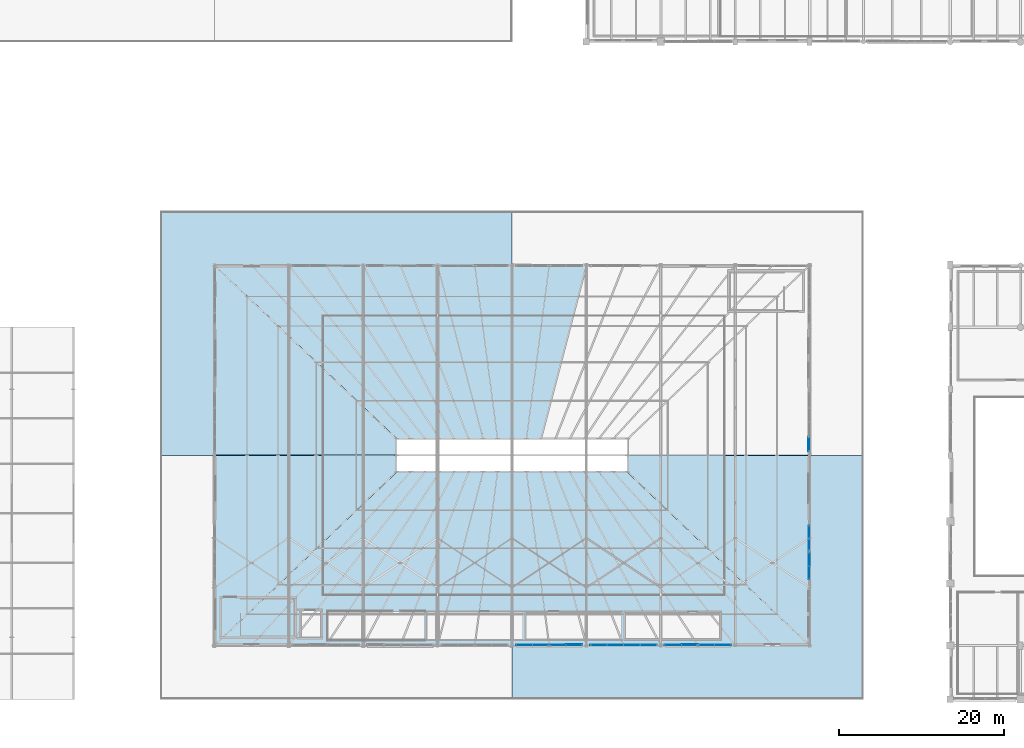
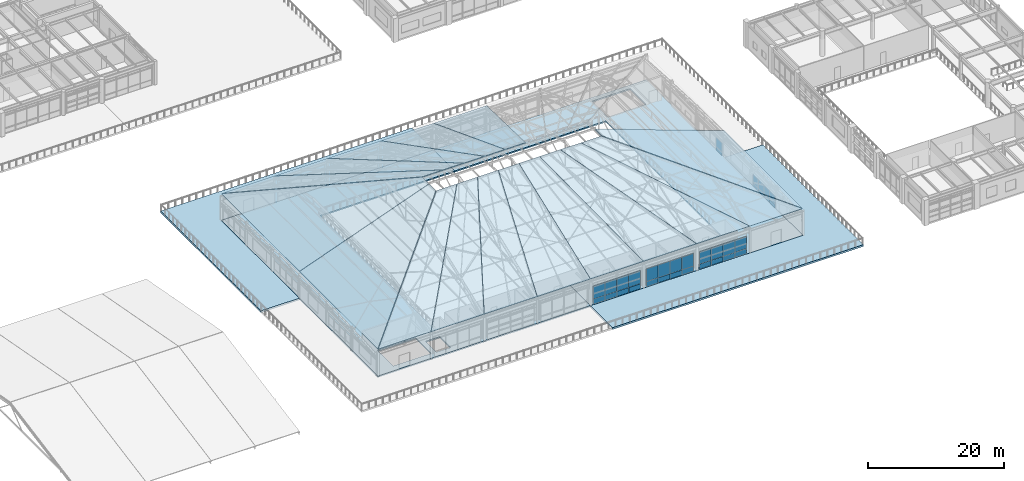
# One storey, part 132 of 168: 34 plates, 20 slabs, 5 elements without a shape of their own.
"""IFC4 building model written with IfcOpenShell, lengths in metres."""

from ifc_helpers import new_model, si_unit, direction, frame, origin, origin_2d, place, context, subcontext, project, spatial, polyline, rectangle, outline, extrude, material, layer, layer_set, type_object, element, aggregate, save


model = new_model("IFC4")

# Units and contexts
model_context = context("Model", 3, precision=1e-05, world=origin(), true_north=direction((0.0, 1.0)))
body_context = subcontext(model_context, "Body", "Model", "MODEL_VIEW")
ifc_project = project(units=[si_unit("LENGTHUNIT", "METRE"), si_unit("AREAUNIT", "SQUARE_METRE"), si_unit("VOLUMEUNIT", "CUBIC_METRE"), si_unit("PLANEANGLEUNIT", "RADIAN"), si_unit("MASSUNIT", "GRAM", prefix="KILO"), si_unit("THERMODYNAMICTEMPERATUREUNIT", "KELVIN"), si_unit("POWERUNIT", "WATT")], contexts=[model_context])

# Site, building, storey
site_placement = place(None, origin())
site = spatial("IfcSite", under=ifc_project, at=site_placement, CompositionType="ELEMENT")
building_placement = place(site_placement, origin())
building = spatial("IfcBuilding", under=site, at=building_placement, Name="Tepalcoro Natatorium and Aquatics Centre", CompositionType="ELEMENT")
storey_placement = place(building_placement, frame((0.0, 0.0, 10.199951171875)))
storey = spatial("IfcBuildingStorey", under=building, at=storey_placement, Name="L02", CompositionType="ELEMENT", Elevation=10.199951171875)

# Curtain wall, plate
ifc_material_1 = material(Name="Bronze-Anodised Extruded Aluminium Alloy EN AW-6063 T6", Category="aluminium")
curtain_wall_type_1 = type_object("IfcCurtainWallType", Name="CW_V5_UPPER", PredefinedType="USERDEFINED", material=ifc_material_1)
curtain_wall_1_placement = place(storey_placement, origin())
curtain_wall_1 = element("IfcCurtainWall", 1, at=curtain_wall_1_placement, inside=storey, type_object=curtain_wall_type_1, Name="V1 L02 S Unitised Curtain Wall Bay 5", ObjectType="FACETED SOLAR GLAZING", PredefinedType="USERDEFINED")
ifc_material_2 = material(Name="Solar-Control Bronze Tempered Low-E Double Glazing", Category="glass")
ifc_layer_1 = layer(ifc_material_2, 0.048095703125)
ifc_layer_set_1 = layer_set([ifc_layer_1], Name="Solar-Control Bronze Tempered Low-E Double Glazing")
plate_type_1 = type_object("IfcPlateType", Name="PL_ACOUSTIC_IGU_48", PredefinedType="CURTAIN_PANEL", material=ifc_layer_set_1)
plate_1_placement = place(storey_placement, frame((92.4951171875, 13.0712890625, 0.9599609375), z_axis=(0.0, 0.0, 1.0), x_axis=(1.0, 0.0, 0.0)))
plate_1 = element("IfcPlate", 2, at=plate_1_placement, type_object=plate_type_1, Name="CW_V5_UPPER Insulated Glazing Unit", PredefinedType="CURTAIN_PANEL", context=body_context, shape_type="SweptSolid", body=[
    extrude(rectangle(XDim=1.989990234375, YDim=0.048095703125, at=origin_2d()), origin(), (0.0, 0.0, 1.0), 2.340087890625),
])

# Curtain wall, plates
curtain_wall_type_2 = type_object("IfcCurtainWallType", Name="CW_LEAN_T1_NS", PredefinedType="USERDEFINED", material=ifc_material_1)
curtain_wall_2_placement = place(storey_placement, origin())
curtain_wall_2 = element("IfcCurtainWall", 3, at=curtain_wall_2_placement, inside=storey, type_object=curtain_wall_type_2, Name="V1 L02 S Unitised Curtain Wall Bay 6", ObjectType="FACETED SOLAR GLAZING", PredefinedType="USERDEFINED")
plate_2_placement = place(storey_placement, frame((99.485107421875, 13.06494140625, 0.9560546875), z_axis=(0.0, 0.0, 1.0), x_axis=(1.0, 0.0, 0.0)))
plate_2 = element("IfcPlate", 4, at=plate_2_placement, type_object=plate_type_1, Name="CW_LEAN_T1_NS Insulated Glazing Unit", PredefinedType="CURTAIN_PANEL", context=body_context, shape_type="SweptSolid", body=[
    extrude(rectangle(XDim=1.989990234375, YDim=0.048095703125, at=origin_2d()), origin(), (0.0, 0.0, 1.0), 2.26806640625),
])
plate_3_placement = place(storey_placement, frame((105.514892578125, 13.06494140625, 0.9560546875), z_axis=(0.0, 0.0, 1.0), x_axis=(1.0, 0.0, 0.0)))
plate_3 = element("IfcPlate", 5, at=plate_3_placement, type_object=plate_type_1, Name="CW_LEAN_T1_NS Insulated Glazing Unit", PredefinedType="CURTAIN_PANEL", context=body_context, shape_type="SweptSolid", body=[
    extrude(rectangle(XDim=1.989990234375, YDim=0.048095703125, at=origin_2d()), origin(), (0.0, 0.0, 1.0), 2.26806640625),
])

# Curtain wall, plate
curtain_wall_type_3 = type_object("IfcCurtainWallType", Name="CW_LEAN_T1_EW", PredefinedType="USERDEFINED", material=ifc_material_1)
curtain_wall_3_placement = place(storey_placement, origin())
curtain_wall_3 = element("IfcCurtainWall", 6, at=curtain_wall_3_placement, inside=storey, type_object=curtain_wall_type_3, Name="V1 L02 S Unitised Curtain Wall Bay 7", ObjectType="FACETED SOLAR GLAZING", PredefinedType="USERDEFINED")
plate_4_placement = place(storey_placement, frame((112.5048828125, 13.0712890625, 0.93701171875), z_axis=(0.0, 0.0, 1.0), x_axis=(1.0, 0.0, 0.0)))
plate_4 = element("IfcPlate", 7, at=plate_4_placement, type_object=plate_type_1, Name="CW_LEAN_T1_EW Insulated Glazing Unit", PredefinedType="CURTAIN_PANEL", context=body_context, shape_type="SweptSolid", body=[
    extrude(rectangle(XDim=1.989990234375, YDim=0.048095703125, at=origin_2d()), origin(), (0.0, 0.0, 1.0), 2.2109375),
])

curtain_wall_type_4 = type_object("IfcCurtainWallType", Name="CW_LEAN_T2_NS", PredefinedType="USERDEFINED", material=ifc_material_1)
curtain_wall_4_placement = place(storey_placement, origin())
curtain_wall_4 = element("IfcCurtainWall", 8, at=curtain_wall_4_placement, inside=storey, type_object=curtain_wall_type_4, Name="V1 L02 E Unitised Curtain Wall Bay 2", ObjectType="FACETED SOLAR GLAZING", PredefinedType="USERDEFINED")
plate_5_placement = place(storey_placement, frame((124.923828125, 23.4326171875, 0.654541015625), z_axis=(0.0, 0.0, 1.0), x_axis=(1.0, 0.0, 0.0)))
plate_5 = element("IfcPlate", 9, at=plate_5_placement, type_object=plate_type_1, Name="CW_LEAN_T2_NS Insulated Glazing Unit", PredefinedType="CURTAIN_PANEL", context=body_context, shape_type="SweptSolid", body=[
    extrude(rectangle(XDim=0.048095703125, YDim=1.614990234375, at=origin_2d()), origin(), (0.0, 0.0, 1.0), 1.5009765625),
])

curtain_wall_type_5 = type_object("IfcCurtainWallType", Name="CW_V1_PLINTH", PredefinedType="USERDEFINED", material=ifc_material_1)
curtain_wall_5_placement = place(storey_placement, origin())
curtain_wall_5 = element("IfcCurtainWall", 10, at=curtain_wall_5_placement, inside=storey, type_object=curtain_wall_type_5, Name="V1 L02 E Unitised Curtain Wall Bay 4", ObjectType="UNITISED STOREFRONT", PredefinedType="USERDEFINED")
plate_6_placement = place(storey_placement, frame((124.909912109375, 37.360107421875, 0.68505859375), z_axis=(0.0, 0.0, 1.0), x_axis=(1.0, 0.0, 0.0)))
plate_6 = element("IfcPlate", 11, at=plate_6_placement, type_object=plate_type_1, Name="CW_V1_PLINTH Insulated Glazing Unit", PredefinedType="CURTAIN_PANEL", context=body_context, shape_type="SweptSolid", body=[
    extrude(rectangle(XDim=0.048095703125, YDim=1.739990234375, at=origin_2d()), origin(), (0.0, 0.0, 1.0), 1.572998046875),
])

# Plate
ifc_layer_2 = layer(ifc_material_2, 0.028076171875)
ifc_layer_set_2 = layer_set([ifc_layer_2], Name="Solar-Control Bronze Tempered Low-E Double Glazing")
plate_type_2 = type_object("IfcPlateType", Name="PL_BRONZE_IGU_28", PredefinedType="CURTAIN_PANEL", material=ifc_layer_set_2)
plate_7_placement = place(storey_placement, frame((90.485107421875, 13.0712890625, 0.9599609375), z_axis=(0.0, 0.0, 1.0), x_axis=(1.0, 0.0, 0.0)))
plate_7 = element("IfcPlate", 12, at=plate_7_placement, type_object=plate_type_2, Name="CW_V5_UPPER Insulated Glazing Unit", PredefinedType="CURTAIN_PANEL", context=body_context, shape_type="SweptSolid", body=[
    extrude(rectangle(XDim=1.989990234375, YDim=0.028076171875, at=origin_2d()), origin(), (0.0, 0.0, 1.0), 2.340087890625),
])

plate_8_placement = place(storey_placement, frame((96.514892578125, 13.0712890625, 0.9599609375), z_axis=(0.0, 0.0, 1.0), x_axis=(1.0, 0.0, 0.0)))
plate_8 = element("IfcPlate", 13, at=plate_8_placement, type_object=plate_type_2, Name="CW_V5_UPPER Insulated Glazing Unit", PredefinedType="CURTAIN_PANEL", context=body_context, shape_type="SweptSolid", body=[
    extrude(rectangle(XDim=1.989990234375, YDim=0.028076171875, at=origin_2d()), origin(), (0.0, 0.0, 1.0), 2.340087890625),
])

plate_9_placement = place(storey_placement, frame((103.5048828125, 13.06494140625, 0.9560546875), z_axis=(0.0, 0.0, 1.0), x_axis=(1.0, 0.0, 0.0)))
plate_9 = element("IfcPlate", 14, at=plate_9_placement, type_object=plate_type_2, Name="CW_LEAN_T1_NS Insulated Glazing Unit", PredefinedType="CURTAIN_PANEL", context=body_context, shape_type="SweptSolid", body=[
    extrude(rectangle(XDim=1.989990234375, YDim=0.028076171875, at=origin_2d()), origin(), (0.0, 0.0, 1.0), 2.26806640625),
])

plate_10_placement = place(storey_placement, frame((110.4951171875, 13.0712890625, 0.93701171875), z_axis=(0.0, 0.0, 1.0), x_axis=(1.0, 0.0, 0.0)))
plate_10 = element("IfcPlate", 15, at=plate_10_placement, type_object=plate_type_2, Name="CW_LEAN_T1_EW Insulated Glazing Unit", PredefinedType="CURTAIN_PANEL", context=body_context, shape_type="SweptSolid", body=[
    extrude(rectangle(XDim=1.989990234375, YDim=0.028076171875, at=origin_2d()), origin(), (0.0, 0.0, 1.0), 2.2109375),
])

plate_11_placement = place(storey_placement, frame((124.923828125, 21.797607421875, 0.654541015625), z_axis=(0.0, 0.0, 1.0), x_axis=(1.0, 0.0, 0.0)))
plate_11 = element("IfcPlate", 16, at=plate_11_placement, type_object=plate_type_2, Name="CW_LEAN_T2_NS Insulated Glazing Unit", PredefinedType="CURTAIN_PANEL", context=body_context, shape_type="SweptSolid", body=[
    extrude(rectangle(XDim=0.028076171875, YDim=1.614990234375, at=origin_2d()), origin(), (0.0, 0.0, 1.0), 1.5009765625),
])

plate_12_placement = place(storey_placement, frame((124.923828125, 26.702392578125, 0.654541015625), z_axis=(0.0, 0.0, 1.0), x_axis=(1.0, 0.0, 0.0)))
plate_12 = element("IfcPlate", 17, at=plate_12_placement, type_object=plate_type_2, Name="CW_LEAN_T2_NS Insulated Glazing Unit", PredefinedType="CURTAIN_PANEL", context=body_context, shape_type="SweptSolid", body=[
    extrude(rectangle(XDim=0.028076171875, YDim=1.614990234375, at=origin_2d()), origin(), (0.0, 0.0, 1.0), 1.5009765625),
])

ifc_material_3 = material(Name="Jalisco Cantera Rosa Volcanic Tuff Ashlar Masonry", Category="masonry")
ifc_layer_3 = layer(ifc_material_3, 0.090087890625)
ifc_layer_set_3 = layer_set([ifc_layer_3], Name="Jalisco Cantera Rosa Volcanic Tuff Ashlar Masonry")
plate_type_3 = type_object("IfcPlateType", Name="PL_CANTERA_90", PredefinedType="SHEET", material=ifc_layer_set_3)
plate_13_placement = place(storey_placement, frame((94.5048828125, 13.0712890625, 0.044921875), z_axis=(0.0, 0.0, 1.0), x_axis=(1.0, 0.0, 0.0)))
plate_13 = element("IfcPlate", 18, at=plate_13_placement, type_object=plate_type_3, Name="CW_V5_UPPER Spandrel & Screen Panel", PredefinedType="SHEET", context=body_context, shape_type="SweptSolid", body=[
    extrude(rectangle(XDim=1.989990234375, YDim=0.090087890625, at=origin_2d()), origin(), (0.0, 0.0, 1.0), 0.909912109375),
])

plate_14_placement = place(storey_placement, frame((101.4951171875, 13.06494140625, 0.044921875), z_axis=(0.0, 0.0, 1.0), x_axis=(1.0, 0.0, 0.0)))
plate_14 = element("IfcPlate", 19, at=plate_14_placement, type_object=plate_type_3, Name="CW_LEAN_T1_NS Spandrel & Screen Panel", PredefinedType="SHEET", context=body_context, shape_type="SweptSolid", body=[
    extrude(rectangle(XDim=1.989990234375, YDim=0.090087890625, at=origin_2d()), origin(), (0.0, 0.0, 1.0), 0.906005859375),
])

plate_15_placement = place(storey_placement, frame((108.485107421875, 13.0712890625, 0.044921875), z_axis=(0.0, 0.0, 1.0), x_axis=(1.0, 0.0, 0.0)))
plate_15 = element("IfcPlate", 20, at=plate_15_placement, type_object=plate_type_3, Name="CW_LEAN_T1_EW Spandrel & Screen Panel", PredefinedType="SHEET", context=body_context, shape_type="SweptSolid", body=[
    extrude(rectangle(XDim=1.989990234375, YDim=0.090087890625, at=origin_2d()), origin(), (0.0, 0.0, 1.0), 0.886962890625),
])

plate_16_placement = place(storey_placement, frame((124.923828125, 21.797607421875, 0.045166015625), z_axis=(0.0, 0.0, 1.0), x_axis=(1.0, 0.0, 0.0)))
plate_16 = element("IfcPlate", 21, at=plate_16_placement, type_object=plate_type_3, Name="CW_LEAN_T2_NS Spandrel & Screen Panel", PredefinedType="SHEET", context=body_context, shape_type="SweptSolid", body=[
    extrude(rectangle(XDim=0.090087890625, YDim=1.614990234375, at=origin_2d()), origin(), (0.0, 0.0, 1.0), 0.6044921875),
])

ifc_material_4 = material(Name="Clear Tempered Low-E Safety Glazing", Category="glass")
ifc_layer_4 = layer(ifc_material_4, 0.011962890625)
ifc_layer_set_4 = layer_set([ifc_layer_4], Name="Clear Tempered Low-E Safety Glazing")
plate_type_4 = type_object("IfcPlateType", Name="PL_GLASS_12", PredefinedType="CURTAIN_PANEL", material=ifc_layer_set_4)
plate_17_placement = place(storey_placement, frame((94.5048828125, 13.0712890625, 0.9599609375), z_axis=(0.0, 0.0, 1.0), x_axis=(1.0, 0.0, 0.0)))
plate_17 = element("IfcPlate", 22, at=plate_17_placement, type_object=plate_type_4, Name="CW_V5_UPPER Insulated Glazing Unit", PredefinedType="CURTAIN_PANEL", context=body_context, shape_type="SweptSolid", body=[
    extrude(rectangle(XDim=1.989990234375, YDim=0.011962890625, at=origin_2d()), origin(), (0.0, 0.0, 1.0), 2.340087890625),
])

plate_18_placement = place(storey_placement, frame((101.4951171875, 13.06494140625, 0.9560546875), z_axis=(0.0, 0.0, 1.0), x_axis=(1.0, 0.0, 0.0)))
plate_18 = element("IfcPlate", 23, at=plate_18_placement, type_object=plate_type_4, Name="CW_LEAN_T1_NS Insulated Glazing Unit", PredefinedType="CURTAIN_PANEL", context=body_context, shape_type="SweptSolid", body=[
    extrude(rectangle(XDim=1.989990234375, YDim=0.011962890625, at=origin_2d()), origin(), (0.0, 0.0, 1.0), 2.26806640625),
])

plate_19_placement = place(storey_placement, frame((108.485107421875, 13.0712890625, 0.93701171875), z_axis=(0.0, 0.0, 1.0), x_axis=(1.0, 0.0, 0.0)))
plate_19 = element("IfcPlate", 24, at=plate_19_placement, type_object=plate_type_4, Name="CW_LEAN_T1_EW Insulated Glazing Unit", PredefinedType="CURTAIN_PANEL", context=body_context, shape_type="SweptSolid", body=[
    extrude(rectangle(XDim=1.989990234375, YDim=0.011962890625, at=origin_2d()), origin(), (0.0, 0.0, 1.0), 2.2109375),
])

plate_20_placement = place(storey_placement, frame((114.514892578125, 13.0712890625, 0.93701171875), z_axis=(0.0, 0.0, 1.0), x_axis=(1.0, 0.0, 0.0)))
plate_20 = element("IfcPlate", 25, at=plate_20_placement, type_object=plate_type_4, Name="CW_LEAN_T1_EW Insulated Glazing Unit", PredefinedType="CURTAIN_PANEL", context=body_context, shape_type="SweptSolid", body=[
    extrude(rectangle(XDim=1.989990234375, YDim=0.011962890625, at=origin_2d()), origin(), (0.0, 0.0, 1.0), 2.2109375),
])

plate_21_placement = place(storey_placement, frame((124.923828125, 25.0673828125, 0.654541015625), z_axis=(0.0, 0.0, 1.0), x_axis=(1.0, 0.0, 0.0)))
plate_21 = element("IfcPlate", 26, at=plate_21_placement, type_object=plate_type_4, Name="CW_LEAN_T2_NS Insulated Glazing Unit", PredefinedType="CURTAIN_PANEL", context=body_context, shape_type="SweptSolid", body=[
    extrude(rectangle(XDim=0.011962890625, YDim=1.614990234375, at=origin_2d()), origin(), (0.0, 0.0, 1.0), 1.5009765625),
])

ifc_material_5 = material(Name="Volcanic Recinto Basalt Ashlar Masonry", Category="masonry")
ifc_layer_5 = layer(ifc_material_5, 0.110107421875)
ifc_layer_set_5 = layer_set([ifc_layer_5], Name="Volcanic Recinto Basalt Ashlar Masonry")
plate_type_5 = type_object("IfcPlateType", Name="PL_RECINTO_110", PredefinedType="SHEET", material=ifc_layer_set_5)
plate_22_placement = place(storey_placement, frame((96.514892578125, 13.0712890625, 0.044921875), z_axis=(0.0, 0.0, 1.0), x_axis=(1.0, 0.0, 0.0)))
plate_22 = element("IfcPlate", 27, at=plate_22_placement, type_object=plate_type_5, Name="CW_V5_UPPER Spandrel & Screen Panel", PredefinedType="SHEET", context=body_context, shape_type="SweptSolid", body=[
    extrude(rectangle(XDim=1.989990234375, YDim=0.110107421875, at=origin_2d()), origin(), (0.0, 0.0, 1.0), 0.909912109375),
])

plate_23_placement = place(storey_placement, frame((103.5048828125, 13.06494140625, 0.044921875), z_axis=(0.0, 0.0, 1.0), x_axis=(1.0, 0.0, 0.0)))
plate_23 = element("IfcPlate", 28, at=plate_23_placement, type_object=plate_type_5, Name="CW_LEAN_T1_NS Spandrel & Screen Panel", PredefinedType="SHEET", context=body_context, shape_type="SweptSolid", body=[
    extrude(rectangle(XDim=1.989990234375, YDim=0.110107421875, at=origin_2d()), origin(), (0.0, 0.0, 1.0), 0.906005859375),
])

plate_24_placement = place(storey_placement, frame((110.4951171875, 13.0712890625, 0.044921875), z_axis=(0.0, 0.0, 1.0), x_axis=(1.0, 0.0, 0.0)))
plate_24 = element("IfcPlate", 29, at=plate_24_placement, type_object=plate_type_5, Name="CW_LEAN_T1_EW Spandrel & Screen Panel", PredefinedType="SHEET", context=body_context, shape_type="SweptSolid", body=[
    extrude(rectangle(XDim=1.989990234375, YDim=0.110107421875, at=origin_2d()), origin(), (0.0, 0.0, 1.0), 0.886962890625),
])

plate_25_placement = place(storey_placement, frame((124.923828125, 23.4326171875, 0.045166015625), z_axis=(0.0, 0.0, 1.0), x_axis=(1.0, 0.0, 0.0)))
plate_25 = element("IfcPlate", 30, at=plate_25_placement, type_object=plate_type_5, Name="CW_LEAN_T2_NS Spandrel & Screen Panel", PredefinedType="SHEET", context=body_context, shape_type="SweptSolid", body=[
    extrude(rectangle(XDim=0.110107421875, YDim=1.614990234375, at=origin_2d()), origin(), (0.0, 0.0, 1.0), 0.6044921875),
])

plate_26_placement = place(storey_placement, frame((124.909912109375, 37.360107421875, 0.044921875), z_axis=(0.0, 0.0, 1.0), x_axis=(1.0, 0.0, 0.0)))
plate_26 = element("IfcPlate", 31, at=plate_26_placement, type_object=plate_type_5, Name="CW_V1_PLINTH Spandrel & Screen Panel", PredefinedType="SHEET", context=body_context, shape_type="SweptSolid", body=[
    extrude(rectangle(XDim=0.110107421875, YDim=1.739990234375, at=origin_2d()), origin(), (0.0, 0.0, 1.0), 0.635009765625),
])

aggregate(curtain_wall_5, [plate_6, plate_26])

ifc_layer_6 = layer(ifc_material_1, 0.050048828125)
ifc_layer_set_6 = layer_set([ifc_layer_6], Name="Bronze-Anodised Extruded Aluminium Alloy EN AW-6063 T6")
plate_type_6 = type_object("IfcPlateType", Name="PL_SCREEN_50", PredefinedType="SHEET", material=ifc_layer_set_6)
plate_27_placement = place(storey_placement, frame((90.485107421875, 13.0712890625, 0.044921875), z_axis=(0.0, 0.0, 1.0), x_axis=(1.0, 0.0, 0.0)))
plate_27 = element("IfcPlate", 32, at=plate_27_placement, type_object=plate_type_6, Name="CW_V5_UPPER Spandrel & Screen Panel", PredefinedType="SHEET", context=body_context, shape_type="SweptSolid", body=[
    extrude(rectangle(XDim=1.989990234375, YDim=0.050048828125, at=origin_2d()), origin(), (0.0, 0.0, 1.0), 0.909912109375),
])

plate_28_placement = place(storey_placement, frame((114.514892578125, 13.0712890625, 0.044921875), z_axis=(0.0, 0.0, 1.0), x_axis=(1.0, 0.0, 0.0)))
plate_28 = element("IfcPlate", 33, at=plate_28_placement, type_object=plate_type_6, Name="CW_LEAN_T1_EW Spandrel & Screen Panel", PredefinedType="SHEET", context=body_context, shape_type="SweptSolid", body=[
    extrude(rectangle(XDim=1.989990234375, YDim=0.050048828125, at=origin_2d()), origin(), (0.0, 0.0, 1.0), 0.886962890625),
])

plate_29_placement = place(storey_placement, frame((124.923828125, 26.702392578125, 0.045166015625), z_axis=(0.0, 0.0, 1.0), x_axis=(1.0, 0.0, 0.0)))
plate_29 = element("IfcPlate", 34, at=plate_29_placement, type_object=plate_type_6, Name="CW_LEAN_T2_NS Spandrel & Screen Panel", PredefinedType="SHEET", context=body_context, shape_type="SweptSolid", body=[
    extrude(rectangle(XDim=0.050048828125, YDim=1.614990234375, at=origin_2d()), origin(), (0.0, 0.0, 1.0), 0.6044921875),
])

ifc_layer_7 = layer(ifc_material_1, 0.06005859375)
ifc_layer_set_7 = layer_set([ifc_layer_7], Name="Bronze-Anodised Extruded Aluminium Alloy EN AW-6063 T6")
plate_type_7 = type_object("IfcPlateType", Name="PL_SCREEN_60", PredefinedType="SHEET", material=ifc_layer_set_7)
plate_30_placement = place(storey_placement, frame((92.4951171875, 13.0712890625, 0.044921875), z_axis=(0.0, 0.0, 1.0), x_axis=(1.0, 0.0, 0.0)))
plate_30 = element("IfcPlate", 35, at=plate_30_placement, type_object=plate_type_7, Name="CW_V5_UPPER Spandrel & Screen Panel", PredefinedType="SHEET", context=body_context, shape_type="SweptSolid", body=[
    extrude(rectangle(XDim=1.989990234375, YDim=0.06005859375, at=origin_2d()), origin(), (0.0, 0.0, 1.0), 0.909912109375),
])

aggregate(curtain_wall_1, [plate_7, plate_27, plate_1, plate_30, plate_17, plate_13, plate_8, plate_22])

plate_31_placement = place(storey_placement, frame((99.485107421875, 13.06494140625, 0.044921875), z_axis=(0.0, 0.0, 1.0), x_axis=(1.0, 0.0, 0.0)))
plate_31 = element("IfcPlate", 36, at=plate_31_placement, type_object=plate_type_7, Name="CW_LEAN_T1_NS Spandrel & Screen Panel", PredefinedType="SHEET", context=body_context, shape_type="SweptSolid", body=[
    extrude(rectangle(XDim=1.989990234375, YDim=0.06005859375, at=origin_2d()), origin(), (0.0, 0.0, 1.0), 0.906005859375),
])

ifc_material_6 = material(Name="Insulated Bronze Anodised Aluminium Spandrel Panel", Category="aluminium")
ifc_layer_8 = layer(ifc_material_6, 0.070068359375)
ifc_layer_set_8 = layer_set([ifc_layer_8], Name="Insulated Bronze Anodised Aluminium Spandrel Panel")
plate_type_8 = type_object("IfcPlateType", Name="PL_SPANDREL_70", PredefinedType="CURTAIN_PANEL", material=ifc_layer_set_8)
plate_32_placement = place(storey_placement, frame((105.514892578125, 13.06494140625, 0.044921875), z_axis=(0.0, 0.0, 1.0), x_axis=(1.0, 0.0, 0.0)))
plate_32 = element("IfcPlate", 37, at=plate_32_placement, type_object=plate_type_8, Name="CW_LEAN_T1_NS Spandrel & Screen Panel", PredefinedType="CURTAIN_PANEL", context=body_context, shape_type="SweptSolid", body=[
    extrude(rectangle(XDim=1.989990234375, YDim=0.070068359375, at=origin_2d()), origin(), (0.0, 0.0, 1.0), 0.906005859375),
])

aggregate(curtain_wall_2, [plate_2, plate_31, plate_18, plate_14, plate_9, plate_23, plate_3, plate_32])

plate_33_placement = place(storey_placement, frame((112.5048828125, 13.0712890625, 0.044921875), z_axis=(0.0, 0.0, 1.0), x_axis=(1.0, 0.0, 0.0)))
plate_33 = element("IfcPlate", 38, at=plate_33_placement, type_object=plate_type_8, Name="CW_LEAN_T1_EW Spandrel & Screen Panel", PredefinedType="CURTAIN_PANEL", context=body_context, shape_type="SweptSolid", body=[
    extrude(rectangle(XDim=1.989990234375, YDim=0.070068359375, at=origin_2d()), origin(), (0.0, 0.0, 1.0), 0.886962890625),
])

aggregate(curtain_wall_3, [plate_19, plate_15, plate_10, plate_24, plate_4, plate_33, plate_20, plate_28])

plate_34_placement = place(storey_placement, frame((124.923828125, 25.0673828125, 0.045166015625), z_axis=(0.0, 0.0, 1.0), x_axis=(1.0, 0.0, 0.0)))
plate_34 = element("IfcPlate", 39, at=plate_34_placement, type_object=plate_type_8, Name="CW_LEAN_T2_NS Spandrel & Screen Panel", PredefinedType="CURTAIN_PANEL", context=body_context, shape_type="SweptSolid", body=[
    extrude(rectangle(XDim=0.070068359375, YDim=1.614990234375, at=origin_2d()), origin(), (0.0, 0.0, 1.0), 0.6044921875),
])

aggregate(curtain_wall_4, [plate_11, plate_16, plate_5, plate_25, plate_21, plate_34, plate_12, plate_29])

# Slabs
ifc_material_7 = material(Name="Concrete C35/45 (fc 35 MPa)", Category="concrete")
ifc_layer_9 = layer(ifc_material_7, 0.239990234375)
ifc_layer_set_9 = layer_set([ifc_layer_9], Name="Concrete C35/45 (fc 35 MPa)")
slab_type_1 = type_object("IfcSlabType", Name="SL_FLOOR_240", PredefinedType="FLOOR", material=ifc_layer_set_9)
slab_1_placement = place(storey_placement, frame((0.0, 0.0, -0.239990234375)))
element("IfcSlab", 40, at=slab_1_placement, inside=storey, type_object=slab_type_1, Name="V1 L02 Natatorium and Civic Floor Slab W", PredefinedType="FLOOR", context=body_context, shape_type="SweptSolid", body=[
    extrude(outline(polyline([(53.0, 13.0), (53.0, 59.0), (89.0, 59.0), (89.0, 52.800048828125), (66.199951171875, 52.800048828125), (66.199951171875, 19.199951171875), (89.0, 19.199951171875), (89.0, 13.0), (53.0, 13.0)]), holes=[polyline([(56.22998046875, 14.10009765625), (62.699951171875, 14.10009765625), (62.699951171875, 18.699951171875), (56.22998046875, 18.699951171875), (56.22998046875, 14.10009765625)]), polyline([(65.89990234375, 17.199951171875), (63.5, 17.199951171875), (63.5, 14.0), (65.89990234375, 14.0), (65.89990234375, 17.199951171875)])]), origin(), (0.0, 0.0, 1.0), 0.239990234375),
])
slab_2_placement = place(storey_placement, frame((0.0, 0.0, -0.239990234375)))
element("IfcSlab", 41, at=slab_2_placement, inside=storey, type_object=slab_type_1, Name="V1 L02 Natatorium and Civic Floor Slab E", PredefinedType="FLOOR", context=body_context, shape_type="SweptSolid", body=[
    extrude(outline(polyline([(89.0, 13.0), (89.0, 19.199951171875), (114.60009765625, 19.199951171875), (114.60009765625, 52.800048828125), (89.0, 52.800048828125), (89.0, 59.0), (125.0, 59.0), (125.0, 13.0), (89.0, 13.0)]), holes=[polyline([(115.330078125, 58.169921875), (115.330078125, 53.530029296875), (121.840087890625, 53.530029296875), (121.840087890625, 58.169921875), (115.330078125, 58.169921875)])]), origin(), (0.0, 0.0, 1.0), 0.239990234375),
])
ifc_material_8 = material(Name="Tempered Solar-Control Pyramid Skylight Glazing", Category="glass")
ifc_layer_10 = layer(ifc_material_8, 0.1201171875)
ifc_layer_set_10 = layer_set([ifc_layer_10], Name="Tempered Solar-Control Pyramid Skylight Glazing")
slab_type_2 = type_object("IfcSlabType", Name="SL_SKYLIGHT_120", PredefinedType="USERDEFINED", material=ifc_layer_set_10)
slab_3_placement = place(storey_placement, frame((53.044921875, 13.0, 4.800048828125), z_axis=(0.0, -0.356769424499, 0.934192473606), x_axis=(1.0, 0.0, 0.0)))
element("IfcSlab", 42, at=slab_3_placement, inside=storey, type_object=slab_type_2, Name="Pyramid Crown South Skylight Facet Bay 1", ObjectType="SKYLIGHT DECK", PredefinedType="USERDEFINED", context=body_context, shape_type="SweptSolid", body=[
    extrude(outline(polyline([(0.0, 0.0), (8.947021484375, 0.0), (25.447021484375, 22.436448087181773), (22.0, 22.436448087181773), (0.0, 0.0)])), origin(), (0.0, 0.0, -1.0), 0.1201171875),
])
slab_4_placement = place(storey_placement, frame((61.991943359375, 59.0, 4.800048828125), z_axis=(0.0, 0.356769424499, 0.934192473606), x_axis=(-1.0, 0.0, 0.0)))
element("IfcSlab", 43, at=slab_4_placement, inside=storey, type_object=slab_type_2, Name="Pyramid Crown North Skylight Facet Bay 1", ObjectType="SKYLIGHT DECK", PredefinedType="USERDEFINED", context=body_context, shape_type="SweptSolid", body=[
    extrude(outline(polyline([(0.0, 0.0), (8.947021484375, 0.0), (-13.052978515625, 22.436448087181773), (-16.5, 22.436448087181773), (0.0, 0.0)])), origin(), (0.0, 0.0, -1.0), 0.1201171875),
])
slab_5_placement = place(storey_placement, frame((62.008056640625, 13.0, 4.800048828125), z_axis=(0.0, -0.356769424499, 0.934192473606), x_axis=(1.0, 0.0, 0.0)))
element("IfcSlab", 44, at=slab_5_placement, inside=storey, type_object=slab_type_2, Name="Pyramid Crown South Skylight Facet Bay 2", ObjectType="SKYLIGHT DECK", PredefinedType="USERDEFINED", context=body_context, shape_type="SweptSolid", body=[
    extrude(outline(polyline([(0.0, 0.0), (8.98388671875, 0.0), (19.98388671875, 22.436448087181773), (16.5, 22.436448087181773), (0.0, 0.0)])), origin(), (0.0, 0.0, -1.0), 0.1201171875),
])
slab_6_placement = place(storey_placement, frame((70.991943359375, 59.0, 4.800048828125), z_axis=(0.0, 0.356769424499, 0.934192473606), x_axis=(-1.0, 0.0, 0.0)))
element("IfcSlab", 45, at=slab_6_placement, inside=storey, type_object=slab_type_2, Name="Pyramid Crown North Skylight Facet Bay 2", ObjectType="SKYLIGHT DECK", PredefinedType="USERDEFINED", context=body_context, shape_type="SweptSolid", body=[
    extrude(outline(polyline([(0.0, 0.0), (8.98388671875, 0.0), (-7.51611328125, 22.436448087181773), (-11.0, 22.436448087181773), (0.0, 0.0)])), origin(), (0.0, 0.0, -1.0), 0.1201171875),
])
slab_7_placement = place(storey_placement, frame((71.008056640625, 13.0, 4.800048828125), z_axis=(0.0, -0.356769424499, 0.934192473606), x_axis=(1.0, 0.0, 0.0)))
element("IfcSlab", 46, at=slab_7_placement, inside=storey, type_object=slab_type_2, Name="Pyramid Crown South Skylight Facet Bay 3", ObjectType="SKYLIGHT DECK", PredefinedType="USERDEFINED", context=body_context, shape_type="SweptSolid", body=[
    extrude(outline(polyline([(0.0, 0.0), (8.98388671875, 0.0), (14.48388671875, 22.436448087181773), (11.0, 22.436448087181773), (0.0, 0.0)])), origin(), (0.0, 0.0, -1.0), 0.1201171875),
])
slab_8_placement = place(storey_placement, frame((79.991943359375, 59.0, 4.800048828125), z_axis=(0.0, 0.356769424499, 0.934192473606), x_axis=(-1.0, 0.0, 0.0)))
element("IfcSlab", 47, at=slab_8_placement, inside=storey, type_object=slab_type_2, Name="Pyramid Crown North Skylight Facet Bay 3", ObjectType="SKYLIGHT DECK", PredefinedType="USERDEFINED", context=body_context, shape_type="SweptSolid", body=[
    extrude(outline(polyline([(0.0, 0.0), (8.98388671875, 0.0), (-2.01611328125, 22.436448087181773), (-5.5, 22.436448087181773), (0.0, 0.0)])), origin(), (0.0, 0.0, -1.0), 0.1201171875),
])
slab_9_placement = place(storey_placement, frame((80.008056640625, 13.0, 4.800048828125), z_axis=(0.0, -0.356769424499, 0.934192473606), x_axis=(1.0, 0.0, 0.0)))
element("IfcSlab", 48, at=slab_9_placement, inside=storey, type_object=slab_type_2, Name="Pyramid Crown South Skylight Facet Bay 4", ObjectType="SKYLIGHT DECK", PredefinedType="USERDEFINED", context=body_context, shape_type="SweptSolid", body=[
    extrude(outline(polyline([(0.0, 0.0), (8.98388671875, 0.0), (8.98388671875, 22.436448087181773), (5.5, 22.436448087181773), (0.0, 0.0)])), origin(), (0.0, 0.0, -1.0), 0.1201171875),
])
for number, where, z_axis, x_axis, name in (
    (49, (88.991943359375, 59.0, 4.800048828125), (0.0, 0.356769424499, 0.934192473606), (-1.0, 0.0, 0.0), "Pyramid Crown North Skylight Facet Bay 4"),
    (50, (89.008056640625, 13.0, 4.800048828125), (0.0, -0.356769424499, 0.934192473606), (1.0, 0.0, 0.0), "Pyramid Crown South Skylight Facet Bay 5"),
):
    element("IfcSlab", number, at=place(storey_placement, frame(where, z_axis=z_axis, x_axis=x_axis)), inside=storey, type_object=slab_type_2, Name=name, ObjectType="SKYLIGHT DECK", PredefinedType="USERDEFINED", context=body_context, shape_type="SweptSolid", body=[
        extrude(outline(polyline([(0.0, 0.0), (8.98388671875, 0.0), (3.48388671875, 22.436448087181773), (0.0, 22.436448087181773), (0.0, 0.0)])), origin(), (0.0, 0.0, -1.0), 0.1201171875),
    ])
slab_10_placement = place(storey_placement, frame((97.991943359375, 59.0, 4.800048828125), z_axis=(0.0, 0.356769424499, 0.934192473606), x_axis=(-1.0, 0.0, 0.0)))
element("IfcSlab", 51, at=slab_10_placement, inside=storey, type_object=slab_type_2, Name="Pyramid Crown North Skylight Facet Bay 5", ObjectType="SKYLIGHT DECK", PredefinedType="USERDEFINED", context=body_context, shape_type="SweptSolid", body=[
    extrude(outline(polyline([(0.0, 0.0), (8.98388671875, 0.0), (8.98388671875, 22.436448087181773), (5.5, 22.436448087181773), (0.0, 0.0)])), origin(), (0.0, 0.0, -1.0), 0.1201171875),
])
slab_11_placement = place(storey_placement, frame((98.008056640625, 13.0, 4.800048828125), z_axis=(0.0, -0.356769424499, 0.934192473606), x_axis=(1.0, 0.0, 0.0)))
element("IfcSlab", 52, at=slab_11_placement, inside=storey, type_object=slab_type_2, Name="Pyramid Crown South Skylight Facet Bay 6", ObjectType="SKYLIGHT DECK", PredefinedType="USERDEFINED", context=body_context, shape_type="SweptSolid", body=[
    extrude(outline(polyline([(0.0, 0.0), (8.98388671875, 0.0), (-2.01611328125, 22.436448087181773), (-5.5, 22.436448087181773), (0.0, 0.0)])), origin(), (0.0, 0.0, -1.0), 0.1201171875),
])
slab_12_placement = place(storey_placement, frame((107.008056640625, 13.0, 4.800048828125), z_axis=(0.0, -0.356769424499, 0.934192473606), x_axis=(1.0, 0.0, 0.0)))
element("IfcSlab", 53, at=slab_12_placement, inside=storey, type_object=slab_type_2, Name="Pyramid Crown South Skylight Facet Bay 7", ObjectType="SKYLIGHT DECK", PredefinedType="USERDEFINED", context=body_context, shape_type="SweptSolid", body=[
    extrude(outline(polyline([(0.0, 0.0), (8.98388671875, 0.0), (-7.51611328125, 22.436448087181773), (-11.0, 22.436448087181773), (0.0, 0.0)])), origin(), (0.0, 0.0, -1.0), 0.1201171875),
])
slab_13_placement = place(storey_placement, frame((116.008056640625, 13.0, 4.800048828125), z_axis=(0.0, -0.356769424499, 0.934192473606), x_axis=(1.0, 0.0, 0.0)))
element("IfcSlab", 54, at=slab_13_placement, inside=storey, type_object=slab_type_2, Name="Pyramid Crown South Skylight Facet Bay 8", ObjectType="SKYLIGHT DECK", PredefinedType="USERDEFINED", context=body_context, shape_type="SweptSolid", body=[
    extrude(outline(polyline([(0.0, 0.0), (8.947021484375, 0.0), (-13.052978515625, 22.436448087181773), (-16.5, 22.436448087181773), (0.0, 0.0)])), origin(), (0.0, 0.0, -1.0), 0.1201171875),
])
ifc_layer_11 = layer(ifc_material_8, 0.139892578125)
ifc_layer_set_11 = layer_set([ifc_layer_11], Name="Tempered Solar-Control Pyramid Skylight Glazing")
slab_type_3 = type_object("IfcSlabType", Name="SL_SKYLIGHT_140", PredefinedType="USERDEFINED", material=ifc_layer_set_11)
slab_14_placement = place(storey_placement, frame((53.0, 13.044921875, 4.800048828125), z_axis=(-0.342498753133, 0.0, 0.939518283006), x_axis=(0.699447116359, 0.667651237304, 0.254981483138)))
element("IfcSlab", 55, at=slab_14_placement, inside=storey, type_object=slab_type_3, Name="Pyramid Crown Hip Skylight Facet WS", ObjectType="SKYLIGHT DECK", PredefinedType="USERDEFINED", context=body_context, shape_type="SweptSolid", body=[
    extrude(outline(polyline([(0.0, 0.0), (31.389189563436886, 1.3322676295501878e-15), (32.71324498351033, 1.4764071964698409), (15.316043264355573, 17.078376142052882), (0.0, 0.0)])), origin(), (0.0, 0.0, -1.0), 0.139892578125),
])
for number, where, z_axis, x_axis, name in (
    (56, (53.0, 36.014892578125, 4.800048828125), (-0.342498753133, 0.0, 0.939518283006), (0.939518283006, 0.0, 0.342498753133), "Pyramid Crown Hip Skylight Facet WN"),
    (57, (125.0, 35.985107421875, 4.800048828125), (0.342498753133, 0.0, 0.939518283006), (-0.939518283006, 0.0, 0.342498753133), "Pyramid Crown Hip Skylight Facet ES"),
):
    element("IfcSlab", number, at=place(storey_placement, frame(where, z_axis=z_axis, x_axis=x_axis)), inside=storey, type_object=slab_type_3, Name=name, ObjectType="SKYLIGHT DECK", PredefinedType="USERDEFINED", context=body_context, shape_type="SweptSolid", body=[
        extrude(outline(polyline([(0.0, 0.0), (23.368441596219004, 0.0), (23.368441596219004, 1.983154296875), (0.0, 22.940185546875), (0.0, 0.0)])), origin(), (0.0, 0.0, -1.0), 0.139892578125),
    ])
ifc_layer_12 = layer(ifc_material_7, 0.320068359375)
ifc_layer_set_12 = layer_set([ifc_layer_12], Name="Concrete C35/45 (fc 35 MPa)")
slab_type_4 = type_object("IfcSlabType", Name="SL_TERRACE_320", PredefinedType="FLOOR", material=ifc_layer_set_12)
slab_15_placement = place(storey_placement, frame((0.0, 0.0, -0.320068359375)))
element("IfcSlab", 58, at=slab_15_placement, inside=storey, type_object=slab_type_4, Name="V1 L02 Planted Terrace Walkway SE", PredefinedType="FLOOR", context=body_context, shape_type="SweptSolid", body=[
    extrude(outline(polyline([(131.5, 6.5), (89.0, 6.5), (89.0, 13.0), (125.0, 13.0), (125.0, 36.0), (131.5, 36.0), (131.5, 6.5)])), origin(), (0.0, 0.0, 1.0), 0.320068359375),
])
slab_16_placement = place(storey_placement, frame((0.0, 0.0, -0.320068359375)))
element("IfcSlab", 59, at=slab_16_placement, inside=storey, type_object=slab_type_4, Name="V1 L02 Planted Terrace Walkway NW", PredefinedType="FLOOR", context=body_context, shape_type="SweptSolid", body=[
    extrude(outline(polyline([(46.5, 65.5), (89.0, 65.5), (89.0, 59.0), (53.0, 59.0), (53.0, 36.0), (46.5, 36.0), (46.5, 65.5)])), origin(), (0.0, 0.0, 1.0), 0.320068359375),
])

save(model, "model.ifc")
